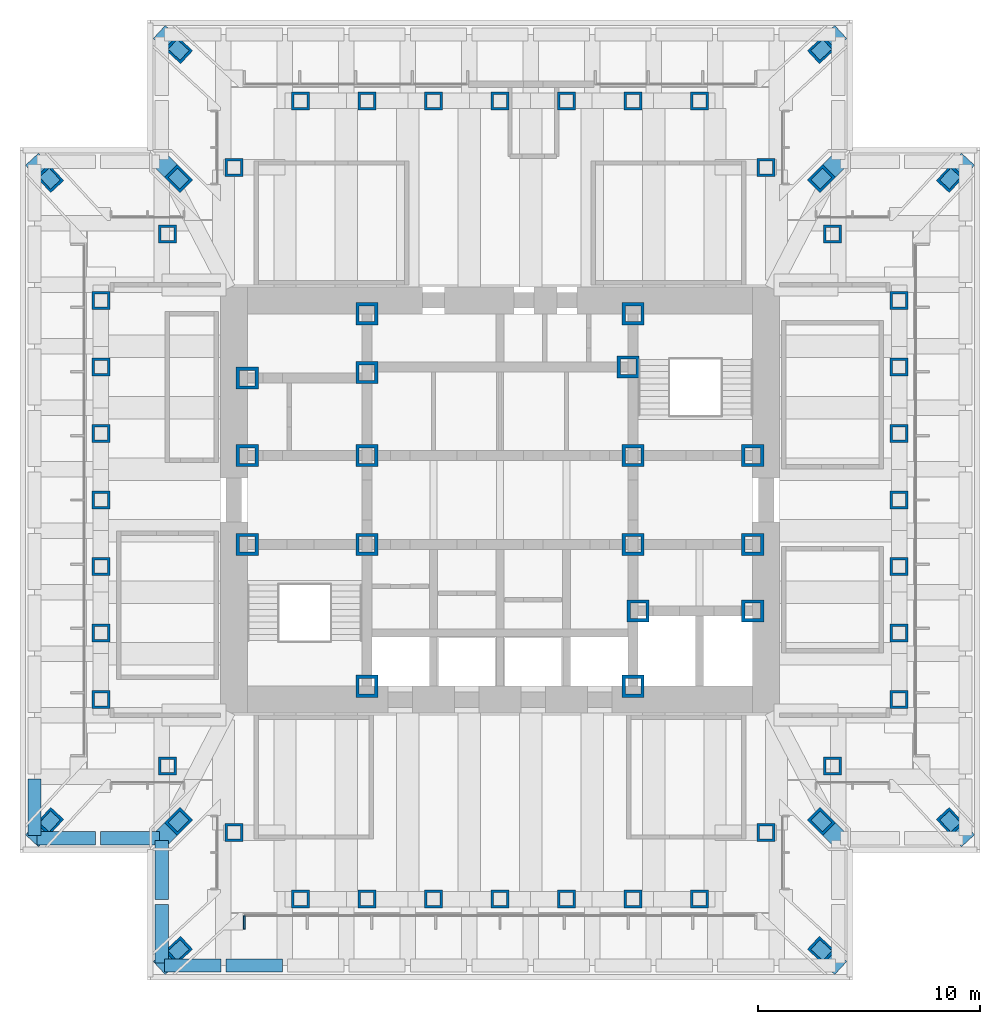
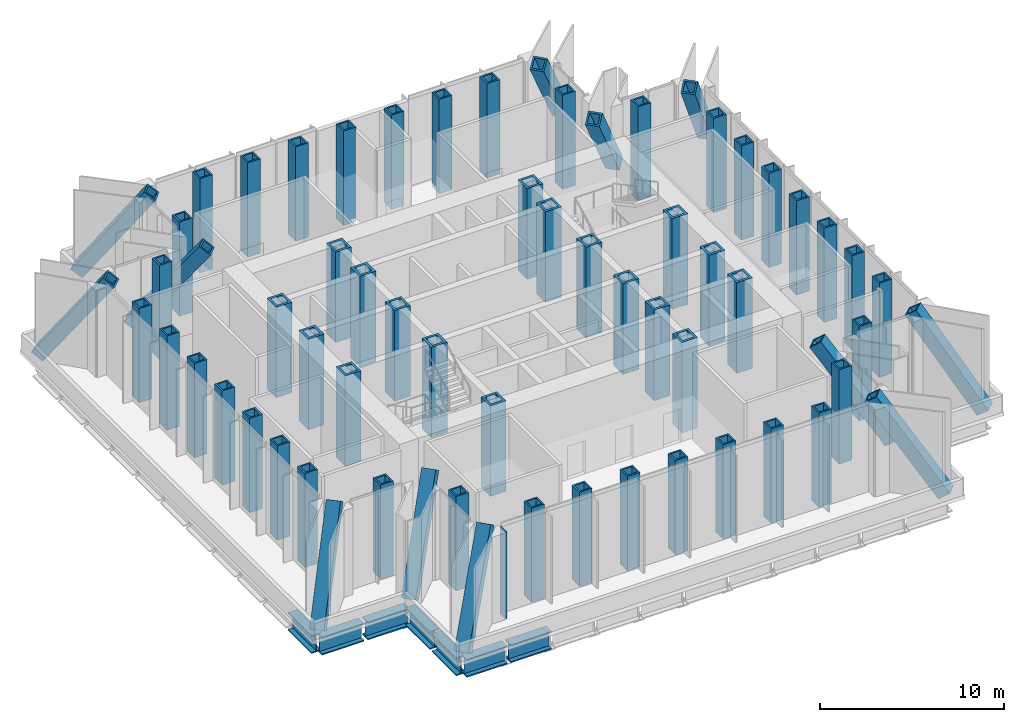
# One storey, part 1 of 13: 65 columns, 7 beams, 1 member, 1 element without a shape of its own.
"""IFC4 building model written with IfcOpenShell, lengths in metres."""

from ifc_helpers import new_model, si_unit, direction, frame, origin, origin_2d, place, context, subcontext, project, spatial, rectangle, hollow_rectangle, i_section, extrude, clip, halfspace, material, material_profile, profile_set, type_object, element, aggregate, save


model = new_model("IFC4")

# Units and contexts
model_context = context("Model", 3, precision=1e-05, world=origin(), true_north=direction((0.0, 1.0)))
body_context = subcontext(model_context, "Body", "Model", "MODEL_VIEW")
ifc_project = project(units=[si_unit("LENGTHUNIT", "METRE"), si_unit("AREAUNIT", "SQUARE_METRE"), si_unit("VOLUMEUNIT", "CUBIC_METRE"), si_unit("PLANEANGLEUNIT", "RADIAN"), si_unit("MASSUNIT", "GRAM", prefix="KILO")], contexts=[model_context])

# Site, building, storey
site_placement = place(None, origin())
site = spatial("IfcSite", under=ifc_project, at=site_placement, CompositionType="ELEMENT")
building_placement = place(site_placement, origin())
building = spatial("IfcBuilding", under=site, at=building_placement, Name="Daluyong Arena Tower", CompositionType="ELEMENT")
storey_placement = place(building_placement, frame((0.0, 0.0, 279.699951171875)))
storey = spatial("IfcBuildingStorey", under=building, at=storey_placement, Name="L63", CompositionType="ELEMENT", Elevation=279.699951171875)

# Columns
ifc_material_1 = material(Name="Steel ASTM A588 Grade 50", Category="steel")
ifc_material_profile_1 = material_profile(ifc_material_1, hollow_rectangle(XDim=1.0, YDim=1.0, WallThickness=0.15, at=origin_2d()))
ifc_profile_set_1 = profile_set([ifc_material_profile_1], Name="Steel ASTM A588 Grade 50")
column_type_1 = type_object("IfcColumnType", Name="Core boundary column BX1000X150", PredefinedType="COLUMN", material=ifc_profile_set_1)
for number, where, z_axis, x_axis, name in (
    (1, (44.60009765625, 78.0, 0.0), (0.0, 0.0, 1.0), (1.0, 0.0, 0.0), "core boundary column BC1"),
    (2, (44.60009765625, 82.0, 0.0), (0.0, 0.0, 1.0), (1.0, 0.0, 0.0), "core boundary column BC1"),
    (3, (44.60009765625, 85.5, 0.0), (0.0, 0.0, 1.0), (1.0, 0.0, 0.0), "core boundary column BC1"),
    (4, (50.0, 71.60009765625, 0.0), (0.0, 0.0, 1.0), (1.0, 0.0, 0.0), "core boundary column BC1"),
    (5, (50.0, 78.0, 0.0), (0.0, 0.0, 1.0), (1.0, 0.0, 0.0), "core boundary column BC1"),
    (6, (50.0, 82.0, 0.0), (0.0, 0.0, 1.0), (1.0, 0.0, 0.0), "core boundary column BC1"),
    (7, (50.0, 85.75, 0.0), (0.0, 0.0, 1.0), (1.0, 0.0, 0.0), "core boundary column BC1"),
    (8, (50.0, 88.39990234375, 0.0), (0.0, 0.0, 1.0), (1.0, 0.0, 0.0), "core boundary column BC1"),
    (9, (61.77490234375, 86.0, 0.0), (0.0, 0.0, 1.0), (1.0, 0.0, 0.0), "core boundary column BC1"),
    (10, (62.0, 71.60009765625, 0.0), (0.0, 0.0, 1.0), (1.0, 0.0, 0.0), "core boundary column BC1"),
    (11, (62.0, 78.0, 0.0), (0.0, 0.0, 1.0), (1.0, 0.0, 0.0), "core boundary column BC1"),
    (12, (62.0, 82.0, 0.0), (0.0, 0.0, 1.0), (1.0, 0.0, 0.0), "core boundary column BC1"),
    (13, (62.0, 88.39990234375, 0.0), (0.0, 0.0, 1.0), (1.0, 0.0, 0.0), "core boundary column BC1"),
    (14, (62.22509765625, 75.0, 0.0), (0.0, 0.0, 1.0), (1.0, 0.0, 0.0), "core boundary column BC1"),
    (15, (67.39990234375, 75.0, 0.0), (0.0, 0.0, 1.0), (1.0, 0.0, 0.0), "core boundary column BC1"),
    (16, (67.39990234375, 78.0, 0.0), (0.0, 0.0, 1.0), (1.0, 0.0, 0.0), "core boundary column BC1"),
    (17, (67.39990234375, 82.0, 0.0), (0.0, 0.0, 1.0), (1.0, 0.0, 0.0), "core boundary column BC1"),
):
    element("IfcColumn", number, at=place(storey_placement, frame(where, z_axis=z_axis, x_axis=x_axis)), inside=storey, type_object=column_type_1, Name=name, PredefinedType="COLUMN", context=body_context, shape_type="SweptSolid", body=[
        extrude(hollow_rectangle(XDim=1.0, YDim=1.0, WallThickness=0.15, at=origin_2d()), origin(), (0.0, 0.0, 1.0), 6.0),
    ])
ifc_material_2 = material(Name="Steel ASTM A572 Grade 50", Category="steel")
ifc_material_profile_2 = material_profile(ifc_material_2, hollow_rectangle(XDim=0.800048828125, YDim=0.800048828125, WallThickness=0.1, at=origin_2d()))
ifc_profile_set_2 = profile_set([ifc_material_profile_2], Name="Steel ASTM A572 Grade 50")
column_type_2 = type_object("IfcColumnType", Name="Transition column BX800X100", PredefinedType="COLUMN", material=ifc_profile_set_2)
for number, where, z_axis, x_axis, name in (
    (18, (40.75, 59.0, -0.25), (0.424465046491, 0.391813889069, 0.81627893556), (-0.678280102733, 0.734803444627, 0.0), "transition column TT4"),
    (19, (71.25, 59.0, -0.25), (-0.424465046491, 0.391813889069, 0.81627893556), (-0.678280102733, -0.734803444627, 0.0), "transition column TT4"),
):
    element("IfcColumn", number, at=place(storey_placement, frame(where, z_axis=z_axis, x_axis=x_axis)), inside=storey, type_object=column_type_2, Name=name, PredefinedType="COLUMN", context=body_context, shape_type="Clipping", body=[
        clip(clip(extrude(hollow_rectangle(XDim=0.800048828125, YDim=0.800048828125, WallThickness=0.1, at=origin_2d()), origin(), (0.0, 0.0, 1.0), 7.65673828125), halfspace(frame((0.0, 0.0, 0.285400390625), z_axis=(0.0, 0.0, 1.0), x_axis=(1.0, 0.0, 0.0)), True)), halfspace(frame((0.0, 0.0, 7.371337890625), z_axis=(0.0, 0.0, -1.0), x_axis=(1.0, 0.0, 0.0)), True)),
    ])
column_1_placement = place(storey_placement, frame((71.25, 64.75, -0.25), z_axis=(-0.418919145253, 0.418919145253, 0.805613740871), x_axis=(-0.707106781187, -0.707106781187, 0.0)))
element("IfcColumn", 20, at=column_1_placement, inside=storey, type_object=column_type_2, Name="transition column TT4", PredefinedType="COLUMN", context=body_context, shape_type="Clipping", body=[
    clip(clip(extrude(hollow_rectangle(XDim=0.800048828125, YDim=0.800048828125, WallThickness=0.1, at=origin_2d()), origin(), (0.0, 0.0, 1.0), 7.758056640625), halfspace(frame((0.0, 0.0, 0.296630859375), z_axis=(0.0, 0.0, 1.0), x_axis=(1.0, 0.0, 0.0)), True)), halfspace(frame((0.0, 0.0, 7.46142578125), z_axis=(0.0, 0.0, -1.0), x_axis=(1.0, 0.0, 0.0)), True)),
])
for number, where, z_axis, x_axis, name in (
    (21, (77.0, 64.75, -0.25), (-0.391813889069, 0.424465046491, 0.81627893556), (-0.734803444627, -0.678280102733, 0.0), "transition column TT4"),
    (22, (77.0, 95.25, -0.25), (-0.391813889069, -0.424465046491, 0.81627893556), (0.734803444627, -0.678280102733, 0.0), "transition column TT4"),
):
    element("IfcColumn", number, at=place(storey_placement, frame(where, z_axis=z_axis, x_axis=x_axis)), inside=storey, type_object=column_type_2, Name=name, PredefinedType="COLUMN", context=body_context, shape_type="Clipping", body=[
        clip(clip(extrude(hollow_rectangle(XDim=0.800048828125, YDim=0.800048828125, WallThickness=0.1, at=origin_2d()), origin(), (0.0, 0.0, 1.0), 7.65673828125), halfspace(frame((0.0, 0.0, 0.285400390625), z_axis=(0.0, 0.0, 1.0), x_axis=(1.0, 0.0, 0.0)), True)), halfspace(frame((0.0, 0.0, 7.371337890625), z_axis=(0.0, 0.0, -1.0), x_axis=(1.0, 0.0, 0.0)), True)),
    ])
column_2_placement = place(storey_placement, frame((71.25, 95.25, -0.25), z_axis=(-0.418919145253, -0.418919145253, 0.805613740871), x_axis=(0.707106781187, -0.707106781187, 0.0)))
element("IfcColumn", 23, at=column_2_placement, inside=storey, type_object=column_type_2, Name="transition column TT4", PredefinedType="COLUMN", context=body_context, shape_type="Clipping", body=[
    clip(clip(extrude(hollow_rectangle(XDim=0.800048828125, YDim=0.800048828125, WallThickness=0.1, at=origin_2d()), origin(), (0.0, 0.0, 1.0), 7.758056640625), halfspace(frame((0.0, 0.0, 0.296630859375), z_axis=(0.0, 0.0, 1.0), x_axis=(1.0, 0.0, 0.0)), True)), halfspace(frame((0.0, 0.0, 7.46142578125), z_axis=(0.0, 0.0, -1.0), x_axis=(1.0, 0.0, 0.0)), True)),
])
for number, where, z_axis, x_axis, name in (
    (24, (71.25, 101.0, -0.25), (-0.424465046491, -0.391813889069, 0.81627893556), (0.678280102733, -0.734803444627, 0.0), "transition column TT4"),
    (25, (40.75, 101.0, -0.25), (0.424465046491, -0.391813889069, 0.81627893556), (0.678280102733, 0.734803444627, 0.0), "transition column TT4"),
):
    element("IfcColumn", number, at=place(storey_placement, frame(where, z_axis=z_axis, x_axis=x_axis)), inside=storey, type_object=column_type_2, Name=name, PredefinedType="COLUMN", context=body_context, shape_type="Clipping", body=[
        clip(clip(extrude(hollow_rectangle(XDim=0.800048828125, YDim=0.800048828125, WallThickness=0.1, at=origin_2d()), origin(), (0.0, 0.0, 1.0), 7.65673828125), halfspace(frame((0.0, 0.0, 0.285400390625), z_axis=(0.0, 0.0, 1.0), x_axis=(1.0, 0.0, 0.0)), True)), halfspace(frame((0.0, 0.0, 7.371337890625), z_axis=(0.0, 0.0, -1.0), x_axis=(1.0, 0.0, 0.0)), True)),
    ])
column_3_placement = place(storey_placement, frame((40.75, 95.25, -0.25), z_axis=(0.418919145253, -0.418919145253, 0.805613740871), x_axis=(0.707106781187, 0.707106781187, 0.0)))
element("IfcColumn", 26, at=column_3_placement, inside=storey, type_object=column_type_2, Name="transition column TT4", PredefinedType="COLUMN", context=body_context, shape_type="Clipping", body=[
    clip(clip(extrude(hollow_rectangle(XDim=0.800048828125, YDim=0.800048828125, WallThickness=0.1, at=origin_2d()), origin(), (0.0, 0.0, 1.0), 7.758056640625), halfspace(frame((0.0, 0.0, 0.296630859375), z_axis=(0.0, 0.0, 1.0), x_axis=(1.0, 0.0, 0.0)), True)), halfspace(frame((0.0, 0.0, 7.46142578125), z_axis=(0.0, 0.0, -1.0), x_axis=(1.0, 0.0, 0.0)), True)),
])
for number, where, z_axis, x_axis, name in (
    (27, (35.0, 95.25, -0.25), (0.391813889069, -0.424465046491, 0.81627893556), (0.734803444627, 0.678280102733, 0.0), "transition column TT4"),
    (28, (35.0, 64.75, -0.25), (0.391813889069, 0.424465046491, 0.81627893556), (-0.734803444627, 0.678280102733, 0.0), "transition column TT4"),
):
    element("IfcColumn", number, at=place(storey_placement, frame(where, z_axis=z_axis, x_axis=x_axis)), inside=storey, type_object=column_type_2, Name=name, PredefinedType="COLUMN", context=body_context, shape_type="Clipping", body=[
        clip(clip(extrude(hollow_rectangle(XDim=0.800048828125, YDim=0.800048828125, WallThickness=0.1, at=origin_2d()), origin(), (0.0, 0.0, 1.0), 7.65673828125), halfspace(frame((0.0, 0.0, 0.285400390625), z_axis=(0.0, 0.0, 1.0), x_axis=(1.0, 0.0, 0.0)), True)), halfspace(frame((0.0, 0.0, 7.371337890625), z_axis=(0.0, 0.0, -1.0), x_axis=(1.0, 0.0, 0.0)), True)),
    ])
column_4_placement = place(storey_placement, frame((40.75, 64.75, -0.25), z_axis=(0.418919145253, 0.418919145253, 0.805613740871), x_axis=(-0.707106781187, 0.707106781187, 0.0)))
element("IfcColumn", 29, at=column_4_placement, inside=storey, type_object=column_type_2, Name="transition column TT4", PredefinedType="COLUMN", context=body_context, shape_type="Clipping", body=[
    clip(clip(extrude(hollow_rectangle(XDim=0.800048828125, YDim=0.800048828125, WallThickness=0.1, at=origin_2d()), origin(), (0.0, 0.0, 1.0), 7.758056640625), halfspace(frame((0.0, 0.0, 0.296630859375), z_axis=(0.0, 0.0, 1.0), x_axis=(1.0, 0.0, 0.0)), True)), halfspace(frame((0.0, 0.0, 7.46142578125), z_axis=(0.0, 0.0, -1.0), x_axis=(1.0, 0.0, 0.0)), True)),
])
ifc_material_3 = material(Name="Steel ASTM A572 Grade 50", Category="steel")
ifc_material_profile_3 = material_profile(ifc_material_3, hollow_rectangle(XDim=0.800048828125, YDim=0.800048828125, WallThickness=0.1, at=origin_2d()))
ifc_profile_set_3 = profile_set([ifc_material_profile_3], Name="Steel ASTM A572 Grade 50")
column_type_3 = type_object("IfcColumnType", Name="Tube column BX800X100 BX800X100", PredefinedType="COLUMN", material=ifc_profile_set_3)
for number, where, z_axis, x_axis, name in (
    (30, (47.0, 62.0, -0.25), (0.0, 0.0, 1.0), (1.0, 0.0, 0.0), "tube column bx800x100 TC8"),
    (31, (50.0, 62.0, -0.25), (0.0, 0.0, 1.0), (1.0, 0.0, 0.0), "tube column bx800x100 TC8"),
    (32, (53.0, 62.0, -0.25), (0.0, 0.0, 1.0), (1.0, 0.0, 0.0), "tube column bx800x100 TC8"),
    (33, (56.0, 62.0, -0.25), (0.0, 0.0, 1.0), (1.0, 0.0, 0.0), "tube column bx800x100 TC8"),
    (34, (59.0, 62.0, -0.25), (0.0, 0.0, 1.0), (1.0, 0.0, 0.0), "tube column bx800x100 TC8"),
    (35, (62.0, 62.0, -0.25), (0.0, 0.0, 1.0), (1.0, 0.0, 0.0), "tube column bx800x100 TC8"),
    (36, (65.0, 62.0, -0.25), (0.0, 0.0, 1.0), (1.0, 0.0, 0.0), "tube column bx800x100 TC8"),
    (37, (68.0, 65.0, -0.25), (0.0, 0.0, 1.0), (0.0, 1.0, 0.0), "tube column bx800x100 TC8"),
    (38, (71.0, 68.0, -0.25), (0.0, 0.0, 1.0), (1.0, 0.0, 0.0), "tube column bx800x100 TC8"),
    (39, (74.0, 71.0, -0.25), (0.0, 0.0, 1.0), (0.0, 1.0, 0.0), "tube column bx800x100 TC8"),
    (40, (74.0, 74.0, -0.25), (0.0, 0.0, 1.0), (0.0, 1.0, 0.0), "tube column bx800x100 TC8"),
    (41, (74.0, 77.0, -0.25), (0.0, 0.0, 1.0), (0.0, 1.0, 0.0), "tube column bx800x100 TC8"),
    (42, (74.0, 80.0, -0.25), (0.0, 0.0, 1.0), (0.0, 1.0, 0.0), "tube column bx800x100 TC8"),
    (43, (74.0, 83.0, -0.25), (0.0, 0.0, 1.0), (0.0, 1.0, 0.0), "tube column bx800x100 TC8"),
    (44, (74.0, 86.0, -0.25), (0.0, 0.0, 1.0), (0.0, 1.0, 0.0), "tube column bx800x100 TC8"),
    (45, (74.0, 89.0, -0.25), (0.0, 0.0, 1.0), (0.0, 1.0, 0.0), "tube column bx800x100 TC8"),
    (46, (71.0, 92.0, -0.25), (0.0, 0.0, 1.0), (1.0, 0.0, 0.0), "tube column bx800x100 TC8"),
    (47, (68.0, 95.0, -0.25), (0.0, 0.0, 1.0), (0.0, 1.0, 0.0), "tube column bx800x100 TC8"),
    (48, (65.0, 98.0, -0.25), (0.0, 0.0, 1.0), (1.0, 0.0, 0.0), "tube column bx800x100 TC8"),
    (49, (62.0, 98.0, -0.25), (0.0, 0.0, 1.0), (1.0, 0.0, 0.0), "tube column bx800x100 TC8"),
    (50, (59.0, 98.0, -0.25), (0.0, 0.0, 1.0), (1.0, 0.0, 0.0), "tube column bx800x100 TC8"),
    (51, (56.0, 98.0, -0.25), (0.0, 0.0, 1.0), (1.0, 0.0, 0.0), "tube column bx800x100 TC8"),
    (52, (53.0, 98.0, -0.25), (0.0, 0.0, 1.0), (1.0, 0.0, 0.0), "tube column bx800x100 TC8"),
    (53, (50.0, 98.0, -0.25), (0.0, 0.0, 1.0), (1.0, 0.0, 0.0), "tube column bx800x100 TC8"),
    (54, (47.0, 98.0, -0.25), (0.0, 0.0, 1.0), (1.0, 0.0, 0.0), "tube column bx800x100 TC8"),
    (55, (44.0, 95.0, -0.25), (0.0, 0.0, 1.0), (0.0, 1.0, 0.0), "tube column bx800x100 TC8"),
    (56, (41.0, 92.0, -0.25), (0.0, 0.0, 1.0), (1.0, 0.0, 0.0), "tube column bx800x100 TC8"),
    (57, (38.0, 89.0, -0.25), (0.0, 0.0, 1.0), (0.0, 1.0, 0.0), "tube column bx800x100 TC8"),
    (58, (38.0, 86.0, -0.25), (0.0, 0.0, 1.0), (0.0, 1.0, 0.0), "tube column bx800x100 TC8"),
    (59, (38.0, 83.0, -0.25), (0.0, 0.0, 1.0), (0.0, 1.0, 0.0), "tube column bx800x100 TC8"),
    (60, (38.0, 80.0, -0.25), (0.0, 0.0, 1.0), (0.0, 1.0, 0.0), "tube column bx800x100 TC8"),
    (61, (38.0, 77.0, -0.25), (0.0, 0.0, 1.0), (0.0, 1.0, 0.0), "tube column bx800x100 TC8"),
    (62, (38.0, 74.0, -0.25), (0.0, 0.0, 1.0), (0.0, 1.0, 0.0), "tube column bx800x100 TC8"),
    (63, (38.0, 71.0, -0.25), (0.0, 0.0, 1.0), (0.0, 1.0, 0.0), "tube column bx800x100 TC8"),
    (64, (41.0, 68.0, -0.25), (0.0, 0.0, 1.0), (1.0, 0.0, 0.0), "tube column bx800x100 TC8"),
    (65, (44.0, 65.0, -0.25), (0.0, 0.0, 1.0), (0.0, 1.0, 0.0), "tube column bx800x100 TC8"),
):
    element("IfcColumn", number, at=place(storey_placement, frame(where, z_axis=z_axis, x_axis=x_axis)), inside=storey, type_object=column_type_3, Name=name, PredefinedType="COLUMN", context=body_context, shape_type="SweptSolid", body=[
        extrude(hollow_rectangle(XDim=0.800048828125, YDim=0.800048828125, WallThickness=0.1, at=origin_2d()), origin(), (0.0, 0.0, 1.0), 6.25),
    ])

# Curtain wall, member
ifc_material_4 = material(Name="Bronze anodised aluminium and glass", Category="aluminium")
curtain_wall_type = type_object("IfcCurtainWallType", Name="Curtain wall CW5", PredefinedType="USERDEFINED", material=ifc_material_4)
curtain_wall_placement = place(storey_placement, origin())
curtain_wall = element("IfcCurtainWall", 66, at=curtain_wall_placement, inside=storey, type_object=curtain_wall_type, Name="curtain wall L63 S", ObjectType="UNITISED CURTAIN WALL", PredefinedType="USERDEFINED")
ifc_material_5 = material(Name="Bronze anodised aluminium fin", Category="aluminium")
ifc_material_profile_4 = material_profile(ifc_material_5, rectangle(XDim=0.60009765625, YDim=0.090087890625, at=origin_2d()))
ifc_profile_set_4 = profile_set([ifc_material_profile_4], Name="Bronze anodised aluminium fin")
member_type = type_object("IfcMemberType", Name="CW5 bronze fin 600x90", PredefinedType="MULLION", material=ifc_profile_set_4)
member_placement = place(storey_placement, frame((44.45947265625, 60.949951171875, 0.0), z_axis=(0.0, 0.0, 1.0), x_axis=(0.0, 1.0, 0.0)))
member = element("IfcMember", 67, at=member_placement, type_object=member_type, Name="curtain wall L63 S fin 1", PredefinedType="MULLION", context=body_context, shape_type="SweptSolid", body=[
    extrude(rectangle(XDim=0.60009765625, YDim=0.090087890625, at=origin_2d()), origin(), (0.0, 0.0, 1.0), 5.760009765625),
])
aggregate(curtain_wall, [member])

# Beams
ifc_material_6 = material(Name="Steel ASTM A572 Grade 50", Category="steel")
ifc_material_profile_5 = material_profile(ifc_material_6, i_section(OverallWidth=0.60009765625, OverallDepth=1.199951171875, WebThickness=0.03, FlangeThickness=0.08, at=origin_2d()))
ifc_profile_set_5 = profile_set([ifc_material_profile_5], Name="Steel ASTM A572 Grade 50")
beam_type = type_object("IfcBeamType", Name="Spandrel Z4 PG1200X600", PredefinedType="SPANDREL", material=ifc_profile_set_5)
for number, where, z_axis, x_axis, name in (
    (68, (40.864990234375, 59.0, -0.849853515625), (1.0, 0.0, 0.0), (0.0, 1.0, 0.0), "spandrel z4 SB9"),
    (69, (43.6376953125, 59.0, -0.849853515625), (1.0, 0.0, 0.0), (0.0, 1.0, 0.0), "spandrel z4 SB9"),
    (70, (35.0, 67.40771484375, -0.849853515625), (0.0, -1.0, 0.0), (1.0, 0.0, 0.0), "spandrel z4 SB9"),
):
    element("IfcBeam", number, at=place(storey_placement, frame(where, z_axis=z_axis, x_axis=x_axis)), inside=storey, type_object=beam_type, Name=name, PredefinedType="SPANDREL", context=body_context, shape_type="SweptSolid", body=[
        extrude(i_section(OverallWidth=0.60009765625, OverallDepth=1.199951171875, WebThickness=0.03, FlangeThickness=0.08, at=origin_2d()), origin(), (0.0, 0.0, 1.0), 2.542724609375),
    ])
for number, where, z_axis, x_axis, name in (
    (71, (35.114990234375, 64.75, -0.849853515625), (1.0, 0.0, 0.0), (0.0, 1.0, 0.0), "spandrel z4 SB9"),
    (72, (37.989990234375, 64.75, -0.849853515625), (1.0, 0.0, 0.0), (0.0, 1.0, 0.0), "spandrel z4 SB9"),
    (73, (40.75, 64.635009765625, -0.849853515625), (0.0, -1.0, 0.0), (1.0, 0.0, 0.0), "spandrel z4 SB9"),
    (74, (40.75, 61.760009765625, -0.849853515625), (0.0, -1.0, 0.0), (1.0, 0.0, 0.0), "spandrel z4 SB9"),
):
    element("IfcBeam", number, at=place(storey_placement, frame(where, z_axis=z_axis, x_axis=x_axis)), inside=storey, type_object=beam_type, Name=name, PredefinedType="SPANDREL", context=body_context, shape_type="SweptSolid", body=[
        extrude(i_section(OverallWidth=0.60009765625, OverallDepth=1.199951171875, WebThickness=0.03, FlangeThickness=0.08, at=origin_2d()), origin(), (0.0, 0.0, 1.0), 2.64501953125),
    ])

save(model, "model.ifc")
